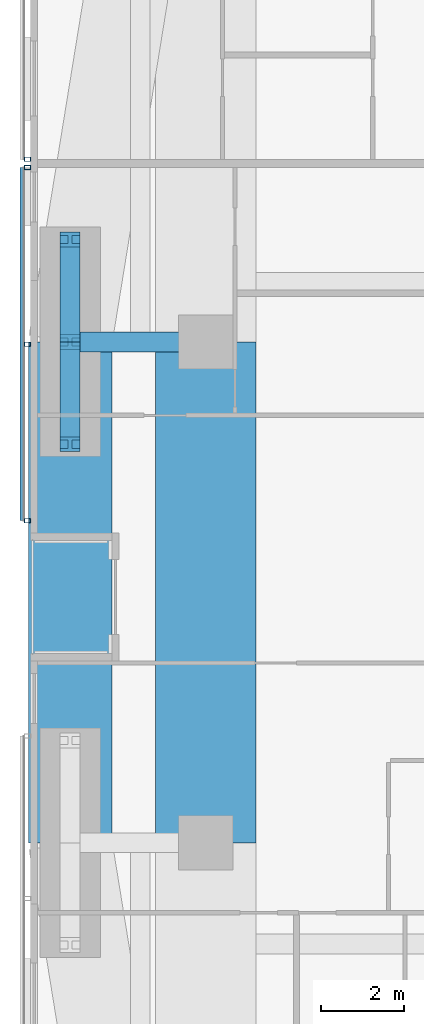
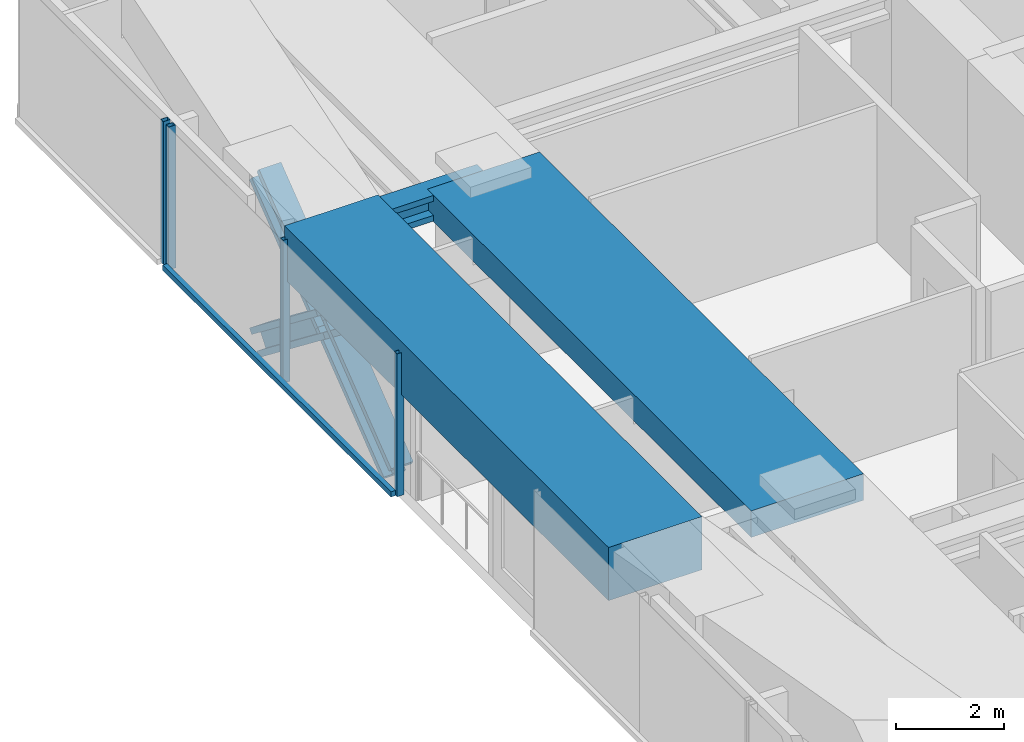
# One storey, part 6 of 23: 9 members, 3 beams, 2 elements without a shape of their own.
"""IFC4 building model written with IfcOpenShell, lengths in metres."""

from ifc_helpers import new_model, si_unit, direction, frame, origin, origin_2d, place, context, subcontext, project, spatial, rectangle, hollow_rectangle, i_section, extrude, material, material_profile, profile_set, type_object, element, aggregate, save


model = new_model("IFC4")

# Units and contexts
model_context = context("Model", 3, precision=1e-05, world=origin(), true_north=direction((0.0, 1.0)))
body_context = subcontext(model_context, "Body", "Model", "MODEL_VIEW")
ifc_project = project(units=[si_unit("LENGTHUNIT", "METRE"), si_unit("AREAUNIT", "SQUARE_METRE"), si_unit("VOLUMEUNIT", "CUBIC_METRE"), si_unit("PLANEANGLEUNIT", "RADIAN"), si_unit("MASSUNIT", "GRAM", prefix="KILO")], contexts=[model_context])

# Site, building, storey
site_placement = place(None, origin())
site = spatial("IfcSite", under=ifc_project, at=site_placement, CompositionType="ELEMENT")
building_placement = place(site_placement, origin())
building = spatial("IfcBuilding", under=site, at=building_placement, Name="Jalousie Tower", CompositionType="ELEMENT")
storey_placement = place(building_placement, frame((0.0, 0.0, 84.75)))
storey = spatial("IfcBuildingStorey", under=building, at=storey_placement, Name="L22", CompositionType="ELEMENT", Elevation=84.75)

# Beam
ifc_material_1 = material(Name="Steel ASTM A992 Grade 50", Category="steel")
ifc_material_profile_1 = material_profile(ifc_material_1, i_section(OverallWidth=0.472412109375, OverallDepth=0.5791015625, WebThickness=0.094970703125, FlangeThickness=0.1298828125, at=origin_2d()), Name="W14X808")
ifc_profile_set_1 = profile_set([ifc_material_profile_1], Name="Steel ASTM A992 Grade 50")
beam_type_1 = type_object("IfcBeamType", Name="LEAN COLLECTOR W14X808", PredefinedType="BEAM", material=ifc_profile_set_1)
beam_1_placement = place(storey_placement, frame((6.949951171875, 25.0, 2.8203125), z_axis=(1.0, 0.0, 0.0), x_axis=(0.0, 1.0, 0.0)))
element("IfcBeam", 1, at=beam_1_placement, inside=storey, type_object=beam_type_1, Name="Lean collector under L23", PredefinedType="BEAM", context=body_context, shape_type="SweptSolid", body=[
    extrude(i_section(OverallWidth=0.472412109375, OverallDepth=0.5791015625, WebThickness=0.094970703125, FlangeThickness=0.1298828125, at=origin_2d()), origin(), (0.0, 0.0, 1.0), 3.25),
])

# Members
ifc_material_2 = material(Name="Steel ASTM A992 Grade 50", Category="steel")
ifc_material_profile_2 = material_profile(ifc_material_2, i_section(OverallWidth=0.472412109375, OverallDepth=0.5791015625, WebThickness=0.094970703125, FlangeThickness=0.1298828125, at=origin_2d()), Name="W14X808")
ifc_profile_set_2 = profile_set([ifc_material_profile_2], Name="Steel ASTM A992 Grade 50")
member_type_1 = type_object("IfcMemberType", Name="PERIMETER BRACE W14X808", PredefinedType="BRACE", material=ifc_profile_set_2)
for number, where, z_axis, x_axis, name in (
    (2, (6.949951171875, 22.550048828125, -1.050048828125), (0.0, 0.790191006211, 0.612860647866), (-1.0, 0.0, 0.0), "Perimeter brace 13 L22 part 1"),
    (3, (6.949951171875, 25.0, 0.85009765625), (0.0, 0.790229140184, 0.612811476723), (-1.0, 0.0, 0.0), "Perimeter brace 13 L22 part 2"),
    (4, (6.949951171875, 27.449951171875, -1.050048828125), (0.0, -0.790191006211, 0.612860647866), (1.0, 0.0, 0.0), "Perimeter brace 13 L22 part 3"),
    (5, (6.949951171875, 25.0, 0.85009765625), (0.0, -0.790229140184, 0.612811476723), (1.0, 0.0, 0.0), "Perimeter brace 13 L22 part 4"),
):
    element("IfcMember", number, at=place(storey_placement, frame(where, z_axis=z_axis, x_axis=x_axis)), inside=storey, type_object=member_type_1, Name=name, PredefinedType="BRACE", context=body_context, shape_type="SweptSolid", body=[
        extrude(i_section(OverallWidth=0.472412109375, OverallDepth=0.5791015625, WebThickness=0.094970703125, FlangeThickness=0.1298828125, at=origin_2d()), origin(), (0.0, 0.0, 1.0), 3.100341796875),
    ])

# Beams
ifc_material_3 = material(Name="Concrete f'c 40 MPa", Category="concrete")
ifc_material_profile_3 = material_profile(ifc_material_3, rectangle(XDim=2.0, YDim=1.199951171875, at=origin_2d()), Name="RC 2000x1200")
ifc_profile_set_3 = profile_set([ifc_material_profile_3], Name="Concrete f'c 40 MPa")
beam_type_2 = type_object("IfcBeamType", Name="RC BEAM 2000x1200", PredefinedType="BEAM", material=ifc_profile_set_3)
beam_2_placement = place(storey_placement, frame((6.949951171875, 25.0, 2.75), z_axis=(0.0, -1.0, 0.0), x_axis=(1.0, 0.0, 0.0)))
element("IfcBeam", 6, at=beam_2_placement, inside=storey, type_object=beam_type_2, Name="Edge band beam 13-14 under L23", PredefinedType="BEAM", context=body_context, shape_type="SweptSolid", body=[
    extrude(rectangle(XDim=2.0, YDim=1.199951171875, at=origin_2d()), origin(), (0.0, 0.0, 1.0), 12.0),
])
ifc_material_4 = material(Name="Concrete f'c 40 MPa", Category="concrete")
ifc_material_profile_4 = material_profile(ifc_material_4, rectangle(XDim=2.39990234375, YDim=0.60009765625, at=origin_2d()), Name="RC 2400x600")
ifc_profile_set_4 = profile_set([ifc_material_profile_4], Name="Concrete f'c 40 MPa")
beam_type_3 = type_object("IfcBeamType", Name="RC BEAM 2400x600", PredefinedType="BEAM", material=ifc_profile_set_4)
beam_3_placement = place(storey_placement, frame((10.199951171875, 13.0, 2.81005859375), z_axis=(0.0, 1.0, 0.0), x_axis=(-1.0, 0.0, 0.0)))
element("IfcBeam", 7, at=beam_3_placement, inside=storey, type_object=beam_type_3, Name="Floor band beam under L23", PredefinedType="BEAM", context=body_context, shape_type="SweptSolid", body=[
    extrude(rectangle(XDim=2.39990234375, YDim=0.60009765625, at=origin_2d()), origin(), (0.0, 0.0, 1.0), 12.0),
])

# Curtain wall, member
ifc_material_5 = material(Name="Perforated aluminium sheet", Category="aluminium")
curtain_wall_type = type_object("IfcCurtainWallType", Name="SOLAR SCREEN SS-1", PredefinedType="USERDEFINED", material=ifc_material_5)
curtain_wall_1_placement = place(storey_placement, origin())
curtain_wall_1 = element("IfcCurtainWall", 8, at=curtain_wall_1_placement, inside=storey, type_object=curtain_wall_type, Name="Solar screen L22", ObjectType="SOLAR SCREEN SS-1", PredefinedType="USERDEFINED")
ifc_material_6 = material(Name="Steel ASTM A500 Grade C", Category="steel")
ifc_material_profile_5 = material_profile(ifc_material_6, hollow_rectangle(XDim=0.1015625, YDim=0.15234375, WallThickness=0.00634765625, at=origin_2d()), Name="HSS6X4X1/4")
ifc_profile_set_5 = profile_set([ifc_material_profile_5], Name="Steel ASTM A500 Grade C")
member_type_2 = type_object("IfcMemberType", Name="SOLAR SCREEN SS-1 MULLION", PredefinedType="MULLION", material=ifc_profile_set_5)
member_1_placement = place(storey_placement, frame((5.9287109375, 29.375, -0.1201171875), z_axis=(0.0, 0.0, 1.0), x_axis=(0.0, -1.0, 0.0)))
member_1 = element("IfcMember", 9, at=member_1_placement, type_object=member_type_2, Name="SS1 post 2", PredefinedType="MULLION", context=body_context, shape_type="SweptSolid", body=[
    extrude(hollow_rectangle(XDim=0.1015625, YDim=0.15234375, WallThickness=0.00634765625, at=origin_2d()), origin(), (0.0, 0.0, 1.0), 3.230224609375),
])
aggregate(curtain_wall_1, [member_1])

# Curtain wall, members
curtain_wall_2_placement = place(storey_placement, origin())
curtain_wall_2 = element("IfcCurtainWall", 10, at=curtain_wall_2_placement, inside=storey, type_object=curtain_wall_type, Name="Solar screen L22", ObjectType="SOLAR SCREEN SS-1", PredefinedType="USERDEFINED")
member_2_placement = place(storey_placement, frame((5.9287109375, 29.175048828125, -0.1201171875), z_axis=(0.0, 0.0, 1.0), x_axis=(0.0, -1.0, 0.0)))
member_2 = element("IfcMember", 11, at=member_2_placement, type_object=member_type_2, Name="SS1 post 1", PredefinedType="MULLION", context=body_context, shape_type="SweptSolid", body=[
    extrude(hollow_rectangle(XDim=0.1015625, YDim=0.15234375, WallThickness=0.00634765625, at=origin_2d()), origin(), (0.0, 0.0, 1.0), 3.230224609375),
])
member_3_placement = place(storey_placement, frame((5.9287109375, 24.94580078125, -0.1201171875), z_axis=(0.0, 0.0, 1.0), x_axis=(0.0, -1.0, 0.0)))
member_3 = element("IfcMember", 12, at=member_3_placement, type_object=member_type_2, Name="SS1 post 2", PredefinedType="MULLION", context=body_context, shape_type="SweptSolid", body=[
    extrude(hollow_rectangle(XDim=0.1015625, YDim=0.15234375, WallThickness=0.00634765625, at=origin_2d()), origin(), (0.0, 0.0, 1.0), 3.230224609375),
])
member_4_placement = place(storey_placement, frame((5.9287109375, 20.716796875, -0.1201171875), z_axis=(0.0, 0.0, 1.0), x_axis=(0.0, -1.0, 0.0)))
member_4 = element("IfcMember", 13, at=member_4_placement, type_object=member_type_2, Name="SS1 post 3", PredefinedType="MULLION", context=body_context, shape_type="SweptSolid", body=[
    extrude(hollow_rectangle(XDim=0.1015625, YDim=0.15234375, WallThickness=0.00634765625, at=origin_2d()), origin(), (0.0, 0.0, 1.0), 3.230224609375),
])
ifc_material_7 = material(Name="Extruded aluminium screen rail", Category="aluminium")
ifc_material_profile_6 = material_profile(ifc_material_7, rectangle(XDim=0.1015625, YDim=0.1201171875, at=origin_2d()), Name="RAIL 102x120")
ifc_profile_set_6 = profile_set([ifc_material_profile_6], Name="Extruded aluminium screen rail")
member_type_3 = type_object("IfcMemberType", Name="SOLAR SCREEN SS-1 TRANSOM", PredefinedType="USERDEFINED", material=ifc_profile_set_6)
member_5_placement = place(storey_placement, frame((5.8017578125, 29.175048828125, -0.06005859375), z_axis=(0.0, -1.0, 0.0), x_axis=(1.0, 0.0, 0.0)))
member_5 = element("IfcMember", 14, at=member_5_placement, type_object=member_type_3, Name="SS1 rail", ObjectType="TRANSOM", PredefinedType="USERDEFINED", context=body_context, shape_type="SweptSolid", body=[
    extrude(rectangle(XDim=0.1015625, YDim=0.1201171875, at=origin_2d()), origin(), (0.0, 0.0, 1.0), 8.458251953125),
])
aggregate(curtain_wall_2, [member_2, member_3, member_4, member_5])

save(model, "model.ifc")
